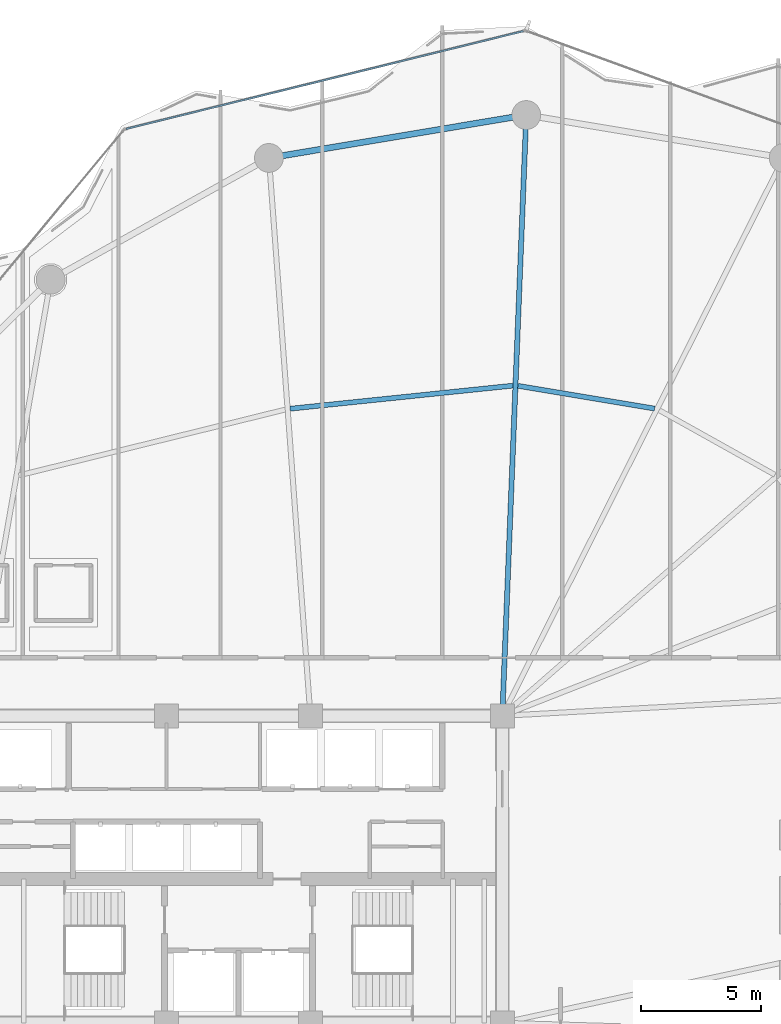
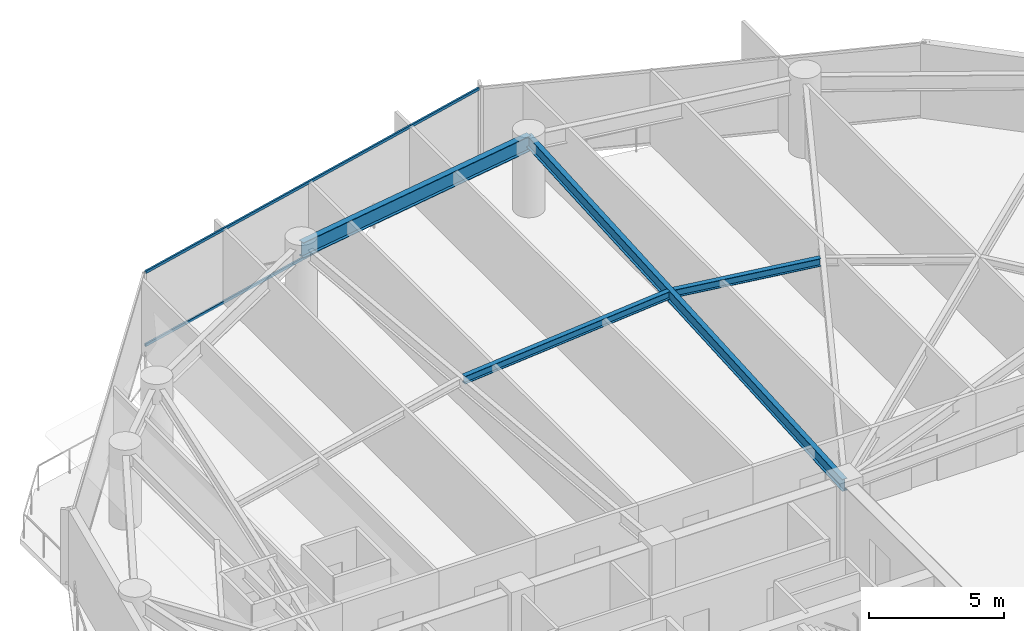
# One storey, part 18 of 28: 4 beams, 2 members, 1 element without a shape of its own.
"""IFC4 building model written with IfcOpenShell, lengths in metres."""

from ifc_helpers import new_model, si_unit, direction, frame, origin, origin_2d, place, context, subcontext, project, spatial, hollow_rectangle, i_section, extrude, material, layer, layer_set, material_profile, profile_set, type_object, element, aggregate, save


model = new_model("IFC4")

# Units and contexts
model_context = context("Model", 3, precision=1e-05, world=origin(), true_north=direction((0.0, 1.0)))
body_context = subcontext(model_context, "Body", "Model", "MODEL_VIEW")
ifc_project = project(units=[si_unit("LENGTHUNIT", "METRE"), si_unit("AREAUNIT", "SQUARE_METRE"), si_unit("VOLUMEUNIT", "CUBIC_METRE"), si_unit("PLANEANGLEUNIT", "RADIAN"), si_unit("MASSUNIT", "GRAM", prefix="KILO")], contexts=[model_context])

# Site, building, storey
site_placement = place(None, origin())
site = spatial("IfcSite", under=ifc_project, at=site_placement, CompositionType="ELEMENT")
building_placement = place(site_placement, origin())
building = spatial("IfcBuilding", under=site, at=building_placement, Name="Kazevale Care Tower and Concert Hall", CompositionType="ELEMENT")
storey_placement = place(building_placement, frame((0.0, 0.0, 109.800048828125)))
storey = spatial("IfcBuildingStorey", under=building, at=storey_placement, Name="L28", CompositionType="ELEMENT", Elevation=109.800048828125)

# Curtain wall, members
ifc_material_1 = material(Name="Aluminium 6063-T6 and Low-E Glass", Category="aluminium")
ifc_layer = layer(ifc_material_1, 0.179931640625)
ifc_layer_set = layer_set([ifc_layer], Name="Aluminium 6063-T6 and Low-E Glass")
curtain_wall_type = type_object("IfcCurtainWallType", Name="Convex Recessed Sunroom Curtain Wall CW-3", PredefinedType="NOTDEFINED", material=ifc_layer_set)
curtain_wall_placement = place(storey_placement, origin())
curtain_wall = element("IfcCurtainWall", 1, at=curtain_wall_placement, inside=storey, type_object=curtain_wall_type, Name="cw:L28:f15", PredefinedType="NOTDEFINED")
ifc_material_2 = material(Name="Aluminium 6063-T6", Category="aluminium")
ifc_material_profile_1 = material_profile(ifc_material_2, hollow_rectangle(XDim=0.074951171875, YDim=0.1201171875, WallThickness=0.00390625, at=origin_2d()), Name="ALU75x120x4")
ifc_profile_set_1 = profile_set([ifc_material_profile_1], Name="Aluminium 6063-T6")
member_type = type_object("IfcMemberType", Name="CW-3 Transom ALU75x120x4", PredefinedType="USERDEFINED", material=ifc_profile_set_1)
member_1_placement = place(storey_placement, frame((28.312744140625, 60.869873046875, 0.037353515625), z_axis=(0.970998321945, 0.239086299857, 0.0), x_axis=(-0.239086299857, 0.970998321945, 0.0)))
member_1 = element("IfcMember", 2, at=member_1_placement, type_object=member_type, Name="CW-3 transom 1.1", ObjectType="TRANSOM", PredefinedType="USERDEFINED", context=body_context, shape_type="SweptSolid", body=[
    extrude(hollow_rectangle(XDim=0.074951171875, YDim=0.1201171875, WallThickness=0.00390625, at=origin_2d()), origin(), (0.0, 0.0, 1.0), 17.061279296875),
])
member_2_placement = place(storey_placement, frame((28.312744140625, 60.869873046875, 3.322509765625), z_axis=(0.970998321945, 0.239086299857, 0.0), x_axis=(-0.239086299857, 0.970998321945, 0.0)))
member_2 = element("IfcMember", 3, at=member_2_placement, type_object=member_type, Name="CW-3 transom 1.2", ObjectType="TRANSOM", PredefinedType="USERDEFINED", context=body_context, shape_type="SweptSolid", body=[
    extrude(hollow_rectangle(XDim=0.074951171875, YDim=0.1201171875, WallThickness=0.00390625, at=origin_2d()), origin(), (0.0, 0.0, 1.0), 17.061279296875),
])
aggregate(curtain_wall, [member_1, member_2])

# Beams
ifc_material_3 = material(Name="Steel ASTM A572 Gr 50", Category="steel")
ifc_material_profile_2 = material_profile(ifc_material_3, i_section(OverallWidth=0.2119140625, OverallDepth=0.5439453125, WebThickness=0.01318359375, FlangeThickness=0.021240234375, at=origin_2d()), Name="W530x123")
ifc_profile_set_2 = profile_set([ifc_material_profile_2], Name="Steel ASTM A572 Gr 50")
beam_type_1 = type_object("IfcBeamType", Name="Radial Floor Girder W530x123", PredefinedType="BEAM", material=ifc_profile_set_2)
beam_1_placement = place(storey_placement, frame((44.0, 36.39990234375, 3.087890625), z_axis=(0.039888311255, 0.99920414462, 0.0), x_axis=(-0.99920414462, 0.039888311255, 0.0)))
element("IfcBeam", 4, at=beam_1_placement, inside=storey, type_object=beam_type_1, Name="beam:L28:rad:05", PredefinedType="BEAM", context=body_context, shape_type="SweptSolid", body=[
    extrude(i_section(OverallWidth=0.2119140625, OverallDepth=0.5439453125, WebThickness=0.01318359375, FlangeThickness=0.021240234375, at=origin_2d()), origin(), (0.0, 0.0, 1.0), 25.070068359375),
])
ifc_material_profile_3 = material_profile(ifc_material_3, i_section(OverallWidth=0.205078125, OverallDepth=0.35400390625, WebThickness=0.009521484375, FlangeThickness=0.016845703125, at=origin_2d()), Name="W360x79")
ifc_profile_set_3 = profile_set([ifc_material_profile_3], Name="Steel ASTM A572 Gr 50")
beam_type_2 = type_object("IfcBeamType", Name="Secondary Floor Joist W360x79", PredefinedType="JOIST", material=ifc_profile_set_3)
beam_2_placement = place(storey_placement, frame((50.347900390625, 49.2099609375, 3.182861328125), z_axis=(-0.986366476547, 0.164563586324, 0.0), x_axis=(-0.164563586324, -0.986366476547, 0.0)))
element("IfcBeam", 5, at=beam_2_placement, inside=storey, type_object=beam_type_2, Name="beam:L28:joist:04", PredefinedType="JOIST", context=body_context, shape_type="SweptSolid", body=[
    extrude(i_section(OverallWidth=0.205078125, OverallDepth=0.35400390625, WebThickness=0.009521484375, FlangeThickness=0.016845703125, at=origin_2d()), origin(), (0.0, 0.0, 1.0), 5.7724609375),
])
beam_3_placement = place(storey_placement, frame((44.446044921875, 50.1669921875, 3.182861328125), z_axis=(-0.994674810104, -0.10306319491, 0.0), x_axis=(0.10306319491, -0.994674810104, 0.0)))
element("IfcBeam", 6, at=beam_3_placement, inside=storey, type_object=beam_type_2, Name="beam:L28:joist:05", PredefinedType="JOIST", context=body_context, shape_type="SweptSolid", body=[
    extrude(i_section(OverallWidth=0.205078125, OverallDepth=0.35400390625, WebThickness=0.009521484375, FlangeThickness=0.016845703125, at=origin_2d()), origin(), (0.0, 0.0, 1.0), 9.3427734375),
])
ifc_material_profile_4 = material_profile(ifc_material_3, i_section(OverallWidth=0.256103515625, OverallDepth=0.693115234375, WebThickness=0.014404296875, FlangeThickness=0.023681640625, at=origin_2d()), Name="W690x170")
ifc_profile_set_4 = profile_set([ifc_material_profile_4], Name="Steel ASTM A572 Gr 50")
beam_type_3 = type_object("IfcBeamType", Name="Waist Ring Beam W690x170", PredefinedType="BEAM", material=ifc_profile_set_4)
beam_4_placement = place(storey_placement, frame((45.0, 61.449951171875, 3.013427734375), z_axis=(-0.986368436187, -0.164551840139, 0.0), x_axis=(0.164551840139, -0.986368436187, 0.0)))
element("IfcBeam", 7, at=beam_4_placement, inside=storey, type_object=beam_type_3, Name="beam:L28:ring:05", PredefinedType="BEAM", context=body_context, shape_type="SweptSolid", body=[
    extrude(i_section(OverallWidth=0.256103515625, OverallDepth=0.693115234375, WebThickness=0.014404296875, FlangeThickness=0.023681640625, at=origin_2d()), origin(), (0.0, 0.0, 1.0), 10.878173828125),
])

save(model, "model.ifc")
